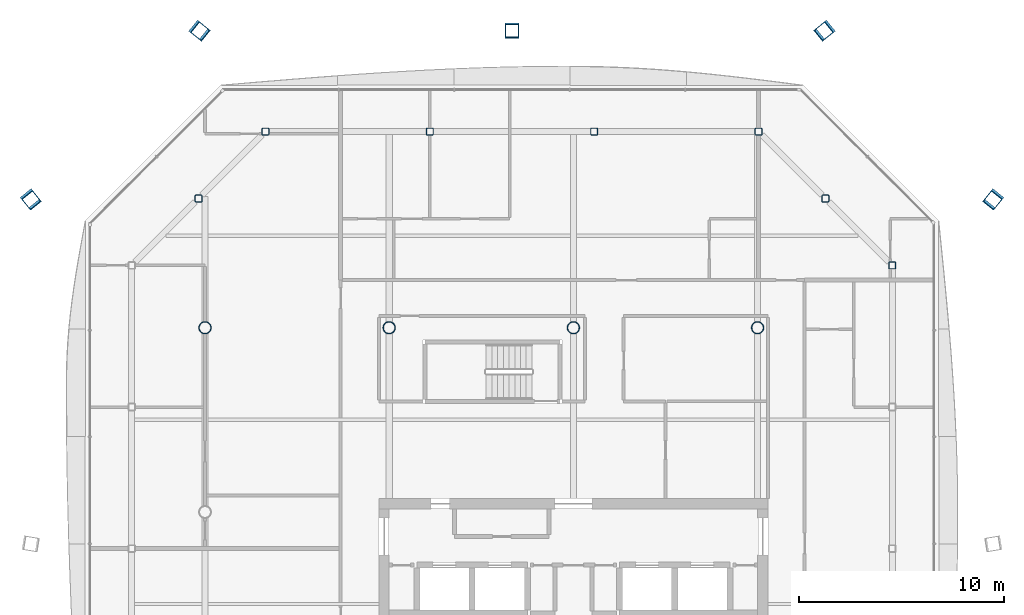
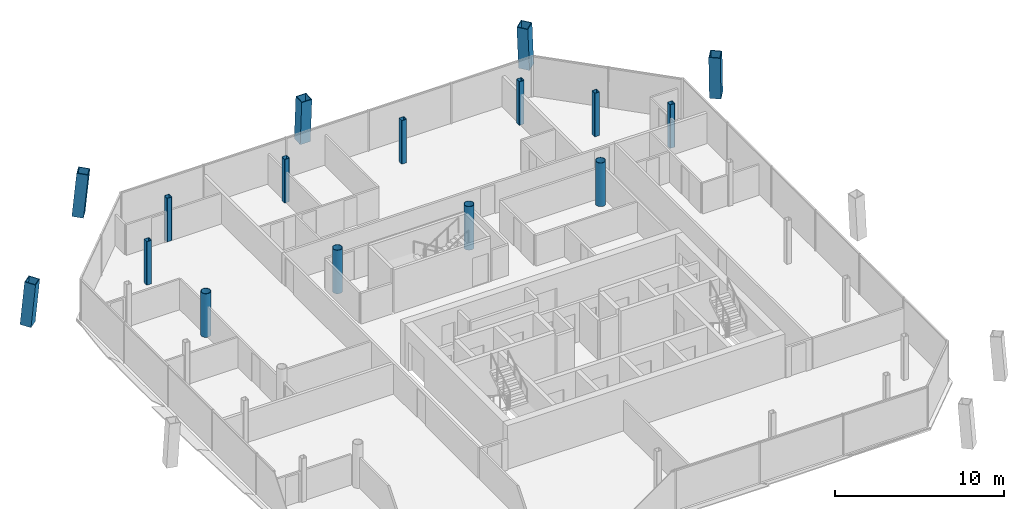
# One storey, part 3 of 20: 16 columns.
"""IFC4 building model written with IfcOpenShell, lengths in metres."""

import ifcopenshell
import ifcopenshell.guid

model = None  # the IFC model being written
_history = None  # IfcOwnerHistory: only IFC2X3 demands one
_inside = {}  # id of a spatial element -> (the spatial element, [elements in it])
_under = {}  # id of a project, library or spatial element -> (it, [spatial elements below it])
_declared = {}  # id of a project -> (the project, [libraries it declares])
_typed = {}  # id of a type object -> (the type object, [elements of that type])
_made_of = {}  # id of a material, layer set ... -> (it, [elements and type objects made of it])


def new_model(schema):
    """Start an empty IFC model of exactly this schema.

    Asked for "IFC4X3", IfcOpenShell would pick the latest addendum, in which some entities
    have other attributes; the version numbers below select the first issue.
    IFC2X3 requires an IfcOwnerHistory on every rooted entity: one is made here for all.
    """
    global model, _history
    if schema == "IFC4X3":
        model = ifcopenshell.file(schema_version=(4, 3, 0, 0))
    else:
        model = ifcopenshell.file(schema=schema)
    _inside.clear()
    _under.clear()
    _declared.clear()
    _typed.clear()
    _made_of.clear()
    _history = None
    if model.schema == "IFC2X3":
        org = make("IfcOrganization", Name="unknown")
        user = make(
            "IfcPersonAndOrganization",
            ThePerson=make("IfcPerson", FamilyName="unknown"),
            TheOrganization=org,
        )
        app = make(
            "IfcApplication",
            ApplicationDeveloper=org,
            Version="unknown",
            ApplicationFullName="unknown",
            ApplicationIdentifier="unknown",
        )
        _history = make(
            "IfcOwnerHistory",
            OwningUser=user,
            OwningApplication=app,
            ChangeAction="ADDED",
            CreationDate=0,
        )
    return model


def make(cls, **values):
    """One entity of the class cls with the attributes given. An attribute that is None is left unset."""
    return model.create_entity(
        cls, **{name: value for name, value in values.items() if value is not None}
    )


def rooted(cls, **values):
    """An entity with a GlobalId (a new one), such as an element, a storey or a relation."""
    return make(cls, GlobalId=ifcopenshell.guid.new(), OwnerHistory=_history, **values)


def si_unit(unit_type, name, prefix=None):
    """IfcSIUnit, for example si_unit("LENGTHUNIT", "METRE", prefix="MILLI")."""
    return make("IfcSIUnit", UnitType=unit_type, Prefix=prefix, Name=name)


def assignment(units):
    """IfcUnitAssignment: the units of a project."""
    return None if units is None else make("IfcUnitAssignment", Units=units)


def point(xyz):
    """IfcCartesianPoint."""
    return None if xyz is None else make("IfcCartesianPoint", Coordinates=xyz)


def direction(xyz):
    """IfcDirection."""
    return None if xyz is None else make("IfcDirection", DirectionRatios=xyz)


def frame(location, z_axis=None, x_axis=None):
    """IfcAxis2Placement3D, a coordinate frame: its origin and axes. An axis left out is left unset."""
    return make(
        "IfcAxis2Placement3D",
        Location=point(location),
        Axis=direction(z_axis),
        RefDirection=direction(x_axis),
    )


def frame_2d(location, x_axis=None):
    """IfcAxis2Placement2D, a coordinate frame in the plane: its origin and x axis."""
    return make(
        "IfcAxis2Placement2D", Location=point(location), RefDirection=direction(x_axis)
    )


def origin():
    """The frame at (0, 0, 0) with its axes left unset."""
    return frame((0.0, 0.0, 0.0))


def origin_2d():
    """The frame at (0, 0) in the plane with its x axis left unset."""
    return frame_2d((0.0, 0.0))


def place(relative_to, where):
    """IfcLocalPlacement: puts the frame where relative to a parent placement (None: the world)."""
    return make(
        "IfcLocalPlacement", PlacementRelTo=relative_to, RelativePlacement=where
    )


def context(
    kind, dimensions, precision=None, world=None, true_north=None, identifier=None
):
    """IfcGeometricRepresentationContext, for example the 3D "Model" context."""
    return make(
        "IfcGeometricRepresentationContext",
        ContextIdentifier=identifier,
        ContextType=kind,
        CoordinateSpaceDimension=dimensions,
        Precision=precision,
        WorldCoordinateSystem=world,
        TrueNorth=true_north,
    )


def subcontext(parent, identifier, kind, view, scale=None):
    """IfcGeometricRepresentationSubContext, for example "Body" below "Model"."""
    return make(
        "IfcGeometricRepresentationSubContext",
        ContextIdentifier=identifier,
        ContextType=kind,
        ParentContext=parent,
        TargetScale=scale,
        TargetView=view,
    )


def project(units=None, contexts=None):
    """IfcProject with its units and contexts."""
    return rooted(
        "IfcProject",
        Name="project",
        RepresentationContexts=contexts,
        UnitsInContext=assignment(units),
    )


def spatial(cls, under=None, at=None, **own):
    """A site, building, storey or space (cls), placed at a placement, below another one or the project."""
    s = rooted(cls, ObjectPlacement=at, **own)
    if under is not None:
        _under.setdefault(under.id(), (under, []))[1].append(s)
    return s


def profile(cls, at=None, kind="AREA", **sizes):
    """A parametric profile (cls). Its sizes go by their IFC names, for example OverallWidth=200.0."""
    return make(cls, ProfileType=kind, Position=at, **sizes)


def hollow_rectangle(**sizes):
    """IfcRectangleHollowProfileDef."""
    return profile("IfcRectangleHollowProfileDef", **sizes)


def hollow_circle(**sizes):
    """IfcCircleHollowProfileDef."""
    return profile("IfcCircleHollowProfileDef", **sizes)


def extrude(swept, where, along, depth):
    """IfcExtrudedAreaSolid: the profile swept, set in the frame where, extruded along a direction by depth."""
    return make(
        "IfcExtrudedAreaSolid",
        SweptArea=swept,
        Position=where,
        ExtrudedDirection=direction(along),
        Depth=depth,
    )


def shape(context_of_items, identifier, shape_type, items):
    """IfcShapeRepresentation: the items that make up one representation, for example the "Body"."""
    return make(
        "IfcShapeRepresentation",
        ContextOfItems=context_of_items,
        RepresentationIdentifier=identifier,
        RepresentationType=shape_type,
        Items=items,
    )


def material(Name=None, Category=None):
    """IfcMaterial."""
    return make("IfcMaterial", Name=Name, Category=Category)


def material_profile(
    of_material, cross_section, Name=None, Category=None, Priority=None
):
    """IfcMaterialProfile: a cross section and its material."""
    return make(
        "IfcMaterialProfile",
        Name=Name,
        Material=of_material,
        Profile=cross_section,
        Priority=Priority,
        Category=Category,
    )


def profile_set(profiles, Name=None, composite=None):
    """IfcMaterialProfileSet."""
    return make(
        "IfcMaterialProfileSet",
        Name=Name,
        MaterialProfiles=profiles,
        CompositeProfile=composite,
    )


def made_of(thing, what):
    """Note that an element or type object is made of a material, layer set ...; save() writes the relation."""
    if what is not None:
        _made_of.setdefault(what.id(), (what, []))[1].append(thing)
    return thing


def type_object(cls, material=None, **own):
    """A type object (cls), such as IfcWallType, which elements share."""
    return made_of(rooted(cls, **own), material)


def element(
    cls,
    number,
    at=None,
    inside=None,
    cuts=None,
    type_object=None,
    material=None,
    context=None,
    identifier="Body",
    shape_type=None,
    held_by="IfcProductDefinitionShape",
    body=None,
    shapes=None,
    **own,
):
    """One element of the class cls, such as IfcWall. Its Tag is "e" and its number.

    at: its placement. inside: the storey or other place that contains it. cuts: it is an
    opening in that element (IfcRelVoidsElement). A single representation is given by context,
    identifier, shape_type and body (its items); several are given by shapes. held_by: the class
    of the entity that holds the representations. save() writes the other relations.
    """
    e = rooted(cls, Tag="e%d" % number, ObjectPlacement=at, **own)
    if body is not None:
        shapes = [shape(context, identifier, shape_type, body)]
    if shapes is not None:
        e.Representation = make(held_by, Representations=shapes)
    if inside is not None:
        _inside.setdefault(inside.id(), (inside, []))[1].append(e)
    if cuts is not None:
        rooted(
            "IfcRelVoidsElement", RelatingBuildingElement=cuts, RelatedOpeningElement=e
        )
    if type_object is not None:
        _typed.setdefault(type_object.id(), (type_object, []))[1].append(e)
    return made_of(e, material)


def aggregate(whole, parts):
    """IfcRelAggregates: a whole, such as a stair, and the parts it consists of."""
    return rooted("IfcRelAggregates", RelatingObject=whole, RelatedObjects=parts)


def save(model, path):
    """Write the relations noted so far, then the file.

    IfcRelAggregates (storeys below a building ...), IfcRelContainedInSpatialStructure (elements
    in a storey), IfcRelDefinesByType, IfcRelAssociatesMaterial and IfcRelDeclares: one each for
    every whole, place, type object, material and project.
    """
    for whole, parts in _under.values():
        aggregate(whole, parts)
    for where, things in _inside.values():
        rooted(
            "IfcRelContainedInSpatialStructure",
            RelatedElements=things,
            RelatingStructure=where,
        )
    for kind, things in _typed.values():
        rooted("IfcRelDefinesByType", RelatedObjects=things, RelatingType=kind)
    for what, things in _made_of.values():
        rooted("IfcRelAssociatesMaterial", RelatedObjects=things, RelatingMaterial=what)
    for by, libraries in _declared.values():
        rooted("IfcRelDeclares", RelatingContext=by, RelatedDefinitions=libraries)
    model.write(path)


model = new_model("IFC4")

# Units and contexts
model_context = context("Model", 3, precision=1e-05, world=origin(), true_north=direction((0.0, 1.0)))
body_context = subcontext(model_context, "Body", "Model", "MODEL_VIEW")
ifc_project = project(units=[si_unit("LENGTHUNIT", "METRE"), si_unit("AREAUNIT", "SQUARE_METRE"), si_unit("VOLUMEUNIT", "CUBIC_METRE"), si_unit("PLANEANGLEUNIT", "RADIAN"), si_unit("MASSUNIT", "GRAM", prefix="KILO")], contexts=[model_context])

# Site, building, storey
site_placement = place(None, origin())
site = spatial("IfcSite", under=ifc_project, at=site_placement, CompositionType="ELEMENT")
building_placement = place(site_placement, origin())
building = spatial("IfcBuilding", under=site, at=building_placement, Name="Tskaro Facet Tower", CompositionType="ELEMENT")
storey_placement = place(building_placement, frame((0.0, 0.0, 184.800048828125)))
storey = spatial("IfcBuildingStorey", under=building, at=storey_placement, Name="L46", CompositionType="ELEMENT", Elevation=184.800048828125)

# Columns
ifc_material_1 = material(Name="Steel S460M", Category="steel")
ifc_material_profile_1 = material_profile(ifc_material_1, hollow_rectangle(XDim=0.699951171875, YDim=0.699951171875, WallThickness=0.044921875, at=origin_2d()), Name="BOX 700x700x45")
ifc_profile_set_1 = profile_set([ifc_material_profile_1], Name="Steel S460M")
column_type_1 = type_object("IfcColumnType", Name="BOX 700x700x45 mega column", PredefinedType="COLUMN", material=ifc_profile_set_1)
for number, where, z_axis, x_axis, name in (
    (1, (20.5458984375, 15.31005859375, 0.0), (-0.057805961616, -0.071775092527, 0.995744348161), (0.778822091241, -0.627244888537, 0.0), "BOX 700x700x45 MC06/4"),
    (2, (12.31005859375, 23.5458984375, 0.0), (-0.071775092527, -0.057805961616, 0.995744348161), (0.627244888537, -0.778822091241, 0.0), "BOX 700x700x45 MC07/4"),
):
    element("IfcColumn", number, at=place(storey_placement, frame(where, z_axis=z_axis, x_axis=x_axis)), inside=storey, type_object=column_type_1, Name=name, PredefinedType="COLUMN", context=body_context, shape_type="SweptSolid", body=[
        extrude(hollow_rectangle(XDim=0.699951171875, YDim=0.699951171875, WallThickness=0.044921875, at=origin_2d()), origin(), (0.0, 0.0, 1.0), 3.163330078125),
    ])
column_placement = place(storey_placement, frame((-3.0, 23.5458984375, 0.0), z_axis=(0.0, -0.057955437846, 0.998319171019), x_axis=(1.0, 0.0, 0.0)))
element("IfcColumn", 3, at=column_placement, inside=storey, type_object=column_type_1, Name="BOX 700x700x45 MC08/4", PredefinedType="COLUMN", context=body_context, shape_type="SweptSolid", body=[
    extrude(hollow_rectangle(XDim=0.699951171875, YDim=0.699951171875, WallThickness=0.044921875, at=origin_2d()), origin(), (0.0, 0.0, 1.0), 3.1552734375),
])
for number, where, z_axis, x_axis, name in (
    (4, (-18.31005859375, 23.5458984375, 0.0), (0.071775092527, -0.057805961616, 0.995744348161), (0.627244888537, 0.778822091241, 0.0), "BOX 700x700x45 MC09/4"),
    (5, (-26.5458984375, 15.31005859375, 0.0), (0.057805961616, -0.071775092527, 0.995744348161), (0.778822091241, 0.627244888537, 0.0), "BOX 700x700x45 MC10/4"),
):
    element("IfcColumn", number, at=place(storey_placement, frame(where, z_axis=z_axis, x_axis=x_axis)), inside=storey, type_object=column_type_1, Name=name, PredefinedType="COLUMN", context=body_context, shape_type="SweptSolid", body=[
        extrude(hollow_rectangle(XDim=0.699951171875, YDim=0.699951171875, WallThickness=0.044921875, at=origin_2d()), origin(), (0.0, 0.0, 1.0), 3.163330078125),
    ])
ifc_material_2 = material(Name="Steel S355J2H", Category="steel")
ifc_material_profile_2 = material_profile(ifc_material_2, hollow_circle(Radius=0.304931640625, WallThickness=0.030029296875, at=origin_2d()), Name="CHS 610x30")
ifc_profile_set_2 = profile_set([ifc_material_profile_2], Name="Steel S355J2H")
column_type_2 = type_object("IfcColumnType", Name="CHS 610x30 interior column", PredefinedType="COLUMN", material=ifc_profile_set_2)
for number, where, z_axis, x_axis, name in (
    (6, (-18.0, 9.0, 0.0), (0.0, 0.0, 1.0), (1.0, 0.0, 0.0), "CHS 610x30 C2E/4"),
    (7, (-9.0, 9.0, 0.0), (0.0, 0.0, 1.0), (1.0, 0.0, 0.0), "CHS 610x30 C3E/4"),
    (8, (0.0, 9.0, 0.0), (0.0, 0.0, 1.0), (1.0, 0.0, 0.0), "CHS 610x30 C4E/4"),
    (9, (9.0, 9.0, 0.0), (0.0, 0.0, 1.0), (1.0, 0.0, 0.0), "CHS 610x30 C5E/4"),
):
    element("IfcColumn", number, at=place(storey_placement, frame(where, z_axis=z_axis, x_axis=x_axis)), inside=storey, type_object=column_type_2, Name=name, PredefinedType="COLUMN", context=body_context, shape_type="SweptSolid", body=[
        extrude(hollow_circle(Radius=0.304931640625, WallThickness=0.030029296875, at=origin_2d()), origin(), (0.0, 0.0, 1.0), 3.14990234375),
    ])
ifc_material_profile_3 = material_profile(ifc_material_2, hollow_rectangle(XDim=0.35009765625, YDim=0.35009765625, WallThickness=0.02001953125, InnerFilletRadius=0.030029296875, OuterFilletRadius=0.050048828125, at=origin_2d()), Name="SHS 350x350x20")
ifc_profile_set_3 = profile_set([ifc_material_profile_3], Name="Steel S355J2H")
column_type_3 = type_object("IfcColumnType", Name="SHS 350x350x20 ring column", PredefinedType="COLUMN", material=ifc_profile_set_3)
for number, where, z_axis, x_axis, name in (
    (10, (15.5830078125, 12.0458984375, 0.0), (0.0, 0.0, 1.0), (1.0, 0.0, 0.0), "SHS 350x350x20 RNE-1/4"),
    (11, (12.31396484375, 15.31396484375, 0.0), (0.0, 0.0, 1.0), (1.0, 0.0, 0.0), "SHS 350x350x20 RNE-2/4"),
    (12, (9.0458984375, 18.5830078125, 0.0), (0.0, 0.0, 1.0), (1.0, 0.0, 0.0), "SHS 350x350x20 RN-1/4"),
    (13, (1.014892578125, 18.5830078125, 0.0), (0.0, 0.0, 1.0), (1.0, 0.0, 0.0), "SHS 350x350x20 RN-2/4"),
    (14, (-7.014892578125, 18.5830078125, 0.0), (0.0, 0.0, 1.0), (1.0, 0.0, 0.0), "SHS 350x350x20 RN-3/4"),
    (15, (-15.0458984375, 18.5830078125, 0.0), (0.0, 0.0, 1.0), (1.0, 0.0, 0.0), "SHS 350x350x20 RNW-1/4"),
    (16, (-18.31396484375, 15.31396484375, 0.0), (0.0, 0.0, 1.0), (1.0, 0.0, 0.0), "SHS 350x350x20 RNW-2/4"),
):
    element("IfcColumn", number, at=place(storey_placement, frame(where, z_axis=z_axis, x_axis=x_axis)), inside=storey, type_object=column_type_3, Name=name, PredefinedType="COLUMN", context=body_context, shape_type="SweptSolid", body=[
        extrude(hollow_rectangle(XDim=0.35009765625, YDim=0.35009765625, WallThickness=0.02001953125, InnerFilletRadius=0.030029296875, OuterFilletRadius=0.050048828125, at=origin_2d()), origin(), (0.0, 0.0, 1.0), 3.14990234375),
    ])

save(model, "model.ifc")
